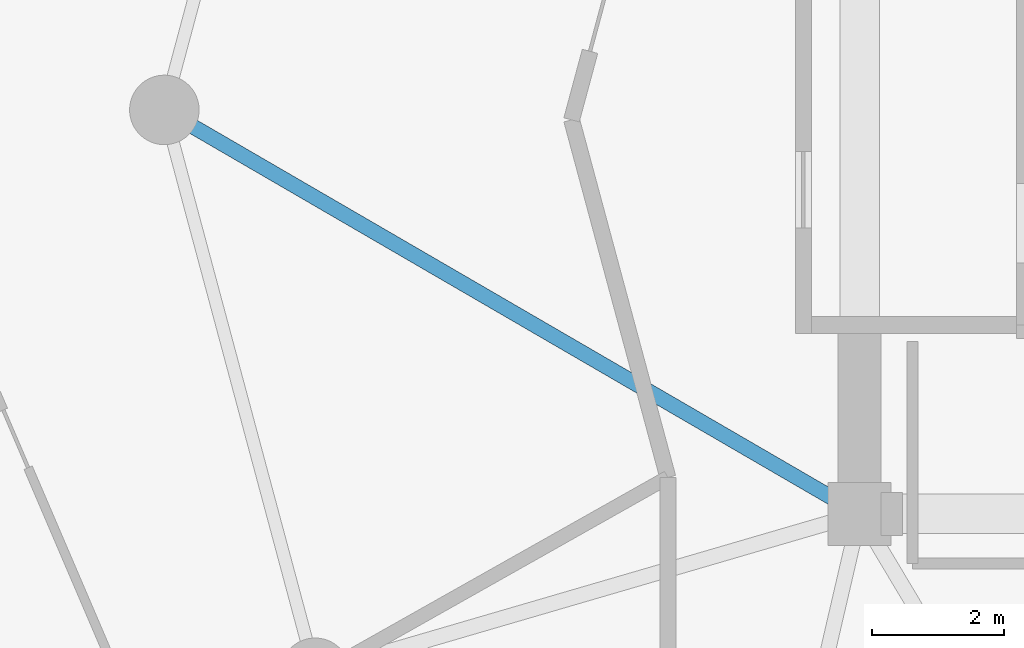
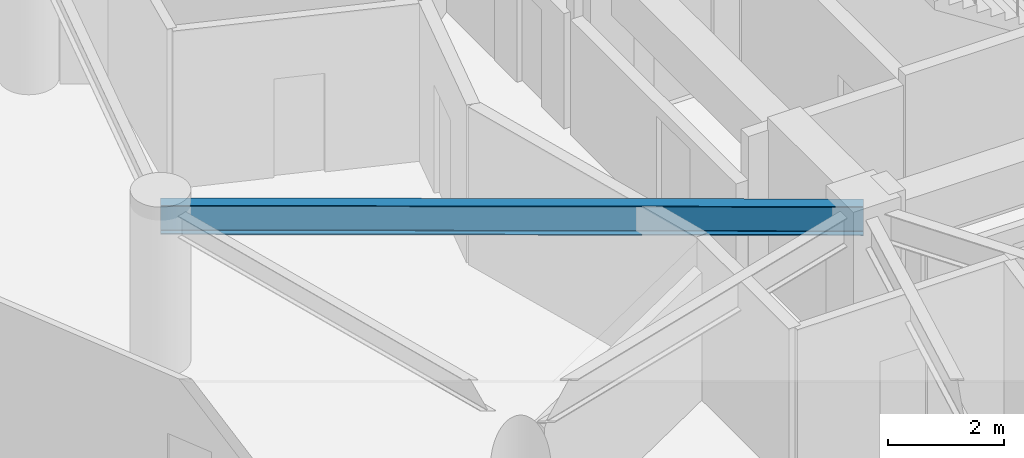
# One storey, part 7 of 25: 1 beam.
"""IFC4 building model written with IfcOpenShell, lengths in metres."""

import ifcopenshell
import ifcopenshell.guid

model = None  # the IFC model being written
_history = None  # IfcOwnerHistory: only IFC2X3 demands one
_inside = {}  # id of a spatial element -> (the spatial element, [elements in it])
_under = {}  # id of a project, library or spatial element -> (it, [spatial elements below it])
_declared = {}  # id of a project -> (the project, [libraries it declares])
_typed = {}  # id of a type object -> (the type object, [elements of that type])
_made_of = {}  # id of a material, layer set ... -> (it, [elements and type objects made of it])


def new_model(schema):
    """Start an empty IFC model of exactly this schema.

    Asked for "IFC4X3", IfcOpenShell would pick the latest addendum, in which some entities
    have other attributes; the version numbers below select the first issue.
    IFC2X3 requires an IfcOwnerHistory on every rooted entity: one is made here for all.
    """
    global model, _history
    if schema == "IFC4X3":
        model = ifcopenshell.file(schema_version=(4, 3, 0, 0))
    else:
        model = ifcopenshell.file(schema=schema)
    _inside.clear()
    _under.clear()
    _declared.clear()
    _typed.clear()
    _made_of.clear()
    _history = None
    if model.schema == "IFC2X3":
        org = make("IfcOrganization", Name="unknown")
        user = make(
            "IfcPersonAndOrganization",
            ThePerson=make("IfcPerson", FamilyName="unknown"),
            TheOrganization=org,
        )
        app = make(
            "IfcApplication",
            ApplicationDeveloper=org,
            Version="unknown",
            ApplicationFullName="unknown",
            ApplicationIdentifier="unknown",
        )
        _history = make(
            "IfcOwnerHistory",
            OwningUser=user,
            OwningApplication=app,
            ChangeAction="ADDED",
            CreationDate=0,
        )
    return model


def make(cls, **values):
    """One entity of the class cls with the attributes given. An attribute that is None is left unset."""
    return model.create_entity(
        cls, **{name: value for name, value in values.items() if value is not None}
    )


def rooted(cls, **values):
    """An entity with a GlobalId (a new one), such as an element, a storey or a relation."""
    return make(cls, GlobalId=ifcopenshell.guid.new(), OwnerHistory=_history, **values)


def si_unit(unit_type, name, prefix=None):
    """IfcSIUnit, for example si_unit("LENGTHUNIT", "METRE", prefix="MILLI")."""
    return make("IfcSIUnit", UnitType=unit_type, Prefix=prefix, Name=name)


def assignment(units):
    """IfcUnitAssignment: the units of a project."""
    return None if units is None else make("IfcUnitAssignment", Units=units)


def point(xyz):
    """IfcCartesianPoint."""
    return None if xyz is None else make("IfcCartesianPoint", Coordinates=xyz)


def direction(xyz):
    """IfcDirection."""
    return None if xyz is None else make("IfcDirection", DirectionRatios=xyz)


def frame(location, z_axis=None, x_axis=None):
    """IfcAxis2Placement3D, a coordinate frame: its origin and axes. An axis left out is left unset."""
    return make(
        "IfcAxis2Placement3D",
        Location=point(location),
        Axis=direction(z_axis),
        RefDirection=direction(x_axis),
    )


def frame_2d(location, x_axis=None):
    """IfcAxis2Placement2D, a coordinate frame in the plane: its origin and x axis."""
    return make(
        "IfcAxis2Placement2D", Location=point(location), RefDirection=direction(x_axis)
    )


def origin():
    """The frame at (0, 0, 0) with its axes left unset."""
    return frame((0.0, 0.0, 0.0))


def origin_2d():
    """The frame at (0, 0) in the plane with its x axis left unset."""
    return frame_2d((0.0, 0.0))


def place(relative_to, where):
    """IfcLocalPlacement: puts the frame where relative to a parent placement (None: the world)."""
    return make(
        "IfcLocalPlacement", PlacementRelTo=relative_to, RelativePlacement=where
    )


def context(
    kind, dimensions, precision=None, world=None, true_north=None, identifier=None
):
    """IfcGeometricRepresentationContext, for example the 3D "Model" context."""
    return make(
        "IfcGeometricRepresentationContext",
        ContextIdentifier=identifier,
        ContextType=kind,
        CoordinateSpaceDimension=dimensions,
        Precision=precision,
        WorldCoordinateSystem=world,
        TrueNorth=true_north,
    )


def subcontext(parent, identifier, kind, view, scale=None):
    """IfcGeometricRepresentationSubContext, for example "Body" below "Model"."""
    return make(
        "IfcGeometricRepresentationSubContext",
        ContextIdentifier=identifier,
        ContextType=kind,
        ParentContext=parent,
        TargetScale=scale,
        TargetView=view,
    )


def project(units=None, contexts=None):
    """IfcProject with its units and contexts."""
    return rooted(
        "IfcProject",
        Name="project",
        RepresentationContexts=contexts,
        UnitsInContext=assignment(units),
    )


def spatial(cls, under=None, at=None, **own):
    """A site, building, storey or space (cls), placed at a placement, below another one or the project."""
    s = rooted(cls, ObjectPlacement=at, **own)
    if under is not None:
        _under.setdefault(under.id(), (under, []))[1].append(s)
    return s


def profile(cls, at=None, kind="AREA", **sizes):
    """A parametric profile (cls). Its sizes go by their IFC names, for example OverallWidth=200.0."""
    return make(cls, ProfileType=kind, Position=at, **sizes)


def i_section(**sizes):
    """IfcIShapeProfileDef."""
    return profile("IfcIShapeProfileDef", **sizes)


def extrude(swept, where, along, depth):
    """IfcExtrudedAreaSolid: the profile swept, set in the frame where, extruded along a direction by depth."""
    return make(
        "IfcExtrudedAreaSolid",
        SweptArea=swept,
        Position=where,
        ExtrudedDirection=direction(along),
        Depth=depth,
    )


def shape(context_of_items, identifier, shape_type, items):
    """IfcShapeRepresentation: the items that make up one representation, for example the "Body"."""
    return make(
        "IfcShapeRepresentation",
        ContextOfItems=context_of_items,
        RepresentationIdentifier=identifier,
        RepresentationType=shape_type,
        Items=items,
    )


def material(Name=None, Category=None):
    """IfcMaterial."""
    return make("IfcMaterial", Name=Name, Category=Category)


def material_profile(
    of_material, cross_section, Name=None, Category=None, Priority=None
):
    """IfcMaterialProfile: a cross section and its material."""
    return make(
        "IfcMaterialProfile",
        Name=Name,
        Material=of_material,
        Profile=cross_section,
        Priority=Priority,
        Category=Category,
    )


def profile_set(profiles, Name=None, composite=None):
    """IfcMaterialProfileSet."""
    return make(
        "IfcMaterialProfileSet",
        Name=Name,
        MaterialProfiles=profiles,
        CompositeProfile=composite,
    )


def made_of(thing, what):
    """Note that an element or type object is made of a material, layer set ...; save() writes the relation."""
    if what is not None:
        _made_of.setdefault(what.id(), (what, []))[1].append(thing)
    return thing


def type_object(cls, material=None, **own):
    """A type object (cls), such as IfcWallType, which elements share."""
    return made_of(rooted(cls, **own), material)


def element(
    cls,
    number,
    at=None,
    inside=None,
    cuts=None,
    type_object=None,
    material=None,
    context=None,
    identifier="Body",
    shape_type=None,
    held_by="IfcProductDefinitionShape",
    body=None,
    shapes=None,
    **own,
):
    """One element of the class cls, such as IfcWall. Its Tag is "e" and its number.

    at: its placement. inside: the storey or other place that contains it. cuts: it is an
    opening in that element (IfcRelVoidsElement). A single representation is given by context,
    identifier, shape_type and body (its items); several are given by shapes. held_by: the class
    of the entity that holds the representations. save() writes the other relations.
    """
    e = rooted(cls, Tag="e%d" % number, ObjectPlacement=at, **own)
    if body is not None:
        shapes = [shape(context, identifier, shape_type, body)]
    if shapes is not None:
        e.Representation = make(held_by, Representations=shapes)
    if inside is not None:
        _inside.setdefault(inside.id(), (inside, []))[1].append(e)
    if cuts is not None:
        rooted(
            "IfcRelVoidsElement", RelatingBuildingElement=cuts, RelatedOpeningElement=e
        )
    if type_object is not None:
        _typed.setdefault(type_object.id(), (type_object, []))[1].append(e)
    return made_of(e, material)


def aggregate(whole, parts):
    """IfcRelAggregates: a whole, such as a stair, and the parts it consists of."""
    return rooted("IfcRelAggregates", RelatingObject=whole, RelatedObjects=parts)


def save(model, path):
    """Write the relations noted so far, then the file.

    IfcRelAggregates (storeys below a building ...), IfcRelContainedInSpatialStructure (elements
    in a storey), IfcRelDefinesByType, IfcRelAssociatesMaterial and IfcRelDeclares: one each for
    every whole, place, type object, material and project.
    """
    for whole, parts in _under.values():
        aggregate(whole, parts)
    for where, things in _inside.values():
        rooted(
            "IfcRelContainedInSpatialStructure",
            RelatedElements=things,
            RelatingStructure=where,
        )
    for kind, things in _typed.values():
        rooted("IfcRelDefinesByType", RelatedObjects=things, RelatingType=kind)
    for what, things in _made_of.values():
        rooted("IfcRelAssociatesMaterial", RelatedObjects=things, RelatingMaterial=what)
    for by, libraries in _declared.values():
        rooted("IfcRelDeclares", RelatingContext=by, RelatedDefinitions=libraries)
    model.write(path)


model = new_model("IFC4")

# Units and contexts
model_context = context("Model", 3, precision=1e-05, world=origin(), true_north=direction((0.0, 1.0)))
body_context = subcontext(model_context, "Body", "Model", "MODEL_VIEW")
ifc_project = project(units=[si_unit("LENGTHUNIT", "METRE"), si_unit("AREAUNIT", "SQUARE_METRE"), si_unit("VOLUMEUNIT", "CUBIC_METRE"), si_unit("PLANEANGLEUNIT", "RADIAN"), si_unit("MASSUNIT", "GRAM", prefix="KILO")], contexts=[model_context])

# Site, building, storey
site_placement = place(None, origin())
site = spatial("IfcSite", under=ifc_project, at=site_placement, CompositionType="ELEMENT")
building_placement = place(site_placement, origin())
building = spatial("IfcBuilding", under=site, at=building_placement, Name="Solvirekh Grand Hotel", CompositionType="ELEMENT")
storey_placement = place(building_placement, frame((0.0, 0.0, 120.60009765625)))
storey = spatial("IfcBuildingStorey", under=building, at=storey_placement, Name="L30", CompositionType="ELEMENT", Elevation=120.60009765625)

# Beam
ifc_material = material(Name="Steel S355", Category="steel")
ifc_material_profile = material_profile(ifc_material, i_section(OverallWidth=0.22802734375, OverallDepth=0.616943359375, WebThickness=0.012939453125, FlangeThickness=0.02001953125, FilletRadius=0.014892578125, at=origin_2d()), Name="W610X140")
ifc_profile_set = profile_set([ifc_material_profile], Name="Steel S355")
beam_type = type_object("IfcBeamType", Name="Beam_Radial_W610", PredefinedType="BEAM", material=ifc_profile_set)
beam_placement = place(storey_placement, frame((-6.5, -6.10009765625, 3.0419921875), z_axis=(-0.864670076815, 0.50234018181, 0.0), x_axis=(-0.50234018181, -0.864670076815, 0.0)))
element("IfcBeam", 1, at=beam_placement, inside=storey, type_object=beam_type, Name="L30 radial floor beam R07", PredefinedType="BEAM", context=body_context, shape_type="SweptSolid", body=[
    extrude(i_section(OverallWidth=0.22802734375, OverallDepth=0.616943359375, WebThickness=0.012939453125, FlangeThickness=0.02001953125, FilletRadius=0.014892578125, at=origin_2d()), origin(), (0.0, 0.0, 1.0), 12.143310546875),
])

save(model, "model.ifc")
